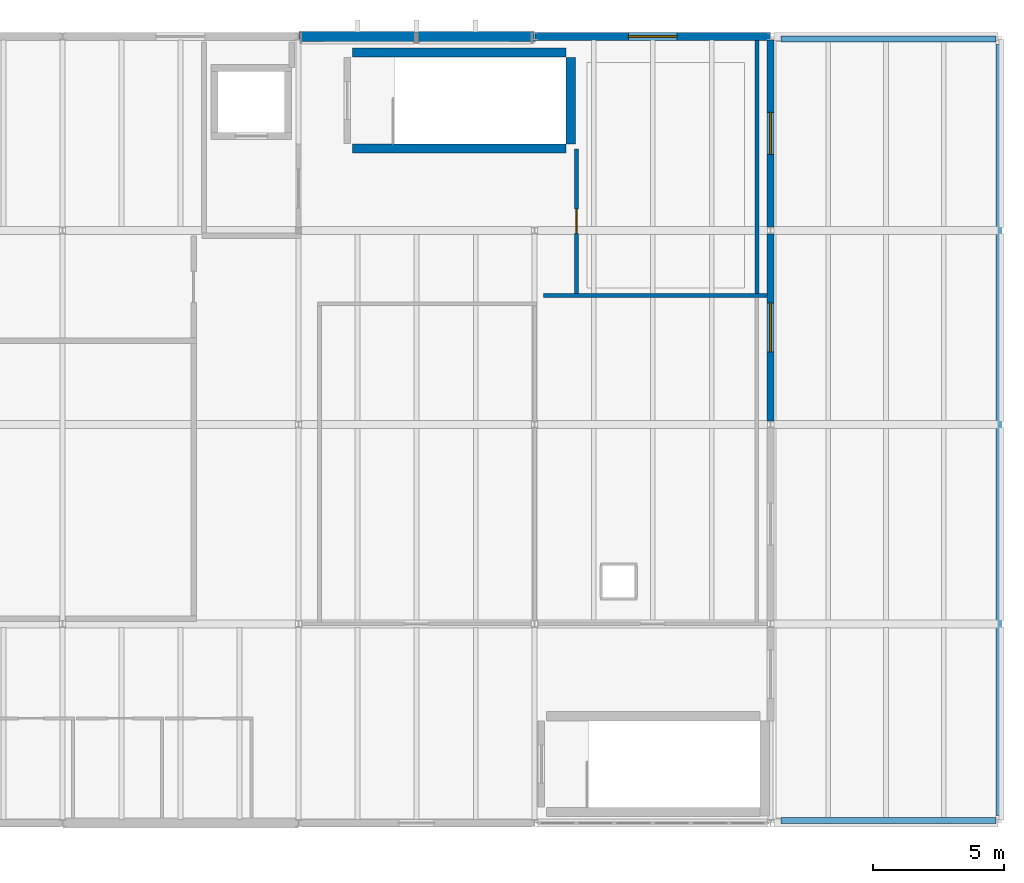
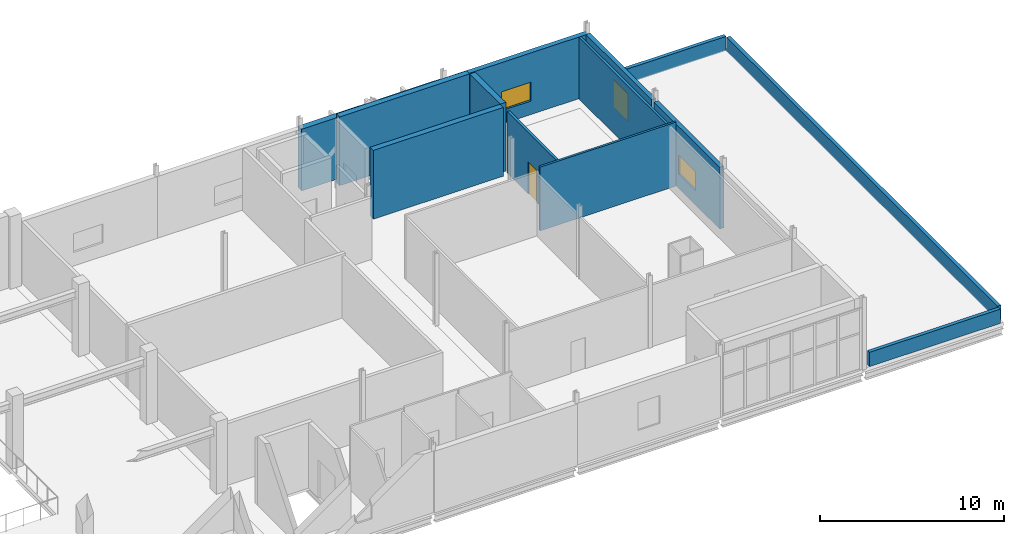
# One storey, part 13 of 14: 13 walls, 3 windows, 1 door, 4 openings.
"""IFC4 building model written with IfcOpenShell, lengths in metres."""

from ifc_helpers import new_model, si_unit, direction, frame, frame_2d, origin, place, context, subcontext, project, spatial, rectangle, extrude, material, layer, layer_set, type_object, element, fill, save


model = new_model("IFC4")

# Units and contexts
model_context = context("Model", 3, precision=1e-05, world=origin(), true_north=direction((0.0, 1.0)))
body_context = subcontext(model_context, "Body", "Model", "MODEL_VIEW")
ifc_project = project(units=[si_unit("LENGTHUNIT", "METRE"), si_unit("AREAUNIT", "SQUARE_METRE"), si_unit("VOLUMEUNIT", "CUBIC_METRE"), si_unit("PLANEANGLEUNIT", "RADIAN"), si_unit("MASSUNIT", "GRAM", prefix="KILO")], contexts=[model_context])

# Site, building, storey
site_placement = place(None, origin())
site = spatial("IfcSite", under=ifc_project, at=site_placement, CompositionType="ELEMENT")
building_placement = place(site_placement, origin())
building = spatial("IfcBuilding", under=site, at=building_placement, Name="Shengluoqiao Park Theatre", CompositionType="ELEMENT")
storey_placement = place(building_placement, frame((0.0, 0.0, 23.800048828125)))
storey = spatial("IfcBuildingStorey", under=building, at=storey_placement, Name="L05", CompositionType="ELEMENT", Elevation=23.800048828125)

# Wall, opening, window
ifc_material_1 = material(Name="Concrete C40", Category="concrete")
ifc_layer_1 = layer(ifc_material_1, 0.27001953125, Name="Concrete C40")
ifc_layer_set_1 = layer_set([ifc_layer_1], Name="Concrete C40")
wall_type_1 = type_object("IfcWallType", Name="ENV-WL-CONC270", PredefinedType="STANDARD", material=ifc_layer_set_1)
wall_1_placement = place(storey_placement, frame((148.39990234375, 99.3291015625, 0.0), z_axis=(0.0, 0.0, 1.0), x_axis=(0.0, 1.0, 0.0)))
wall_1 = element("IfcWall", 1, at=wall_1_placement, inside=storey, type_object=wall_type_1, Name="L05 Exterior Wall 0273", PredefinedType="STANDARD", context=body_context, shape_type="SweptSolid", body=[
    extrude(rectangle(XDim=7.141845703125, YDim=0.27001953125, at=frame_2d((3.57080078125, 0.0))), origin(), (0.0, 0.0, 1.0), 4.087890625),
])
opening_1_placement = place(wall_1_placement, frame((2.64599609375, 0.0, 0.949951171875)))
opening_1 = element("IfcOpeningElement", 2, at=opening_1_placement, cuts=wall_1, Name="Opening W-11", PredefinedType="OPENING", context=body_context, shape_type="SweptSolid", body=[
    extrude(rectangle(XDim=1.85009765625, YDim=1.25, at=frame_2d((0.925048828125, 0.625))), frame((0.0, 0.14501953125, 0.0), z_axis=(0.0, -1.0, 0.0), x_axis=(1.0, 0.0, 0.0)), (0.0, 0.0, 1.0), 0.2900390625),
])
ifc_material_2 = material(Name="Insulated glass", Category="glass")
window_type_1 = type_object("IfcWindowType", Name="ENV-WIN-W11", PartitioningType="DOUBLE_PANEL_HORIZONTAL", PredefinedType="WINDOW", material=ifc_material_2)
window_1_placement = place(opening_1_placement, origin())
window_1 = element("IfcWindow", 3, at=window_1_placement, inside=storey, type_object=window_type_1, Name="L05 Acoustic Window 0111", OverallHeight=1.25, OverallWidth=1.85009765625, PartitioningType="DOUBLE_PANEL_HORIZONTAL", PredefinedType="WINDOW", context=body_context, shape_type="SweptSolid", body=[
    extrude(rectangle(XDim=1.85009765625, YDim=1.25, at=frame_2d((0.925048828125, 0.625))), frame((0.0, 0.030029296875, 0.0), z_axis=(0.0, -1.0, 0.0), x_axis=(1.0, 0.0, 0.0)), (0.0, 0.0, 1.0), 0.06005859375),
])
fill(opening_1, window_1)

wall_2_placement = place(storey_placement, frame((148.39990234375, 106.72900390625, 0.0), z_axis=(0.0, 0.0, 1.0), x_axis=(0.0, 1.0, 0.0)))
wall_2 = element("IfcWall", 4, at=wall_2_placement, inside=storey, type_object=wall_type_1, Name="L05 Exterior Wall 0274", PredefinedType="STANDARD", context=body_context, shape_type="SweptSolid", body=[
    extrude(rectangle(XDim=7.14208984375, YDim=0.27001953125, at=frame_2d((3.571044921875, 0.0))), origin(), (0.0, 0.0, 1.0), 4.087890625),
])
opening_2_placement = place(wall_2_placement, frame((2.77099609375, 0.0, 0.949951171875)))
opening_2 = element("IfcOpeningElement", 5, at=opening_2_placement, cuts=wall_2, Name="Opening W-06", PredefinedType="OPENING", context=body_context, shape_type="SweptSolid", body=[
    extrude(rectangle(XDim=1.60009765625, YDim=1.800048828125, at=frame_2d((0.800048828125, 0.89990234375))), frame((0.0, 0.14501953125, 0.0), z_axis=(0.0, -1.0, 0.0), x_axis=(1.0, 0.0, 0.0)), (0.0, 0.0, 1.0), 0.2900390625),
])
window_type_2 = type_object("IfcWindowType", Name="ENV-WIN-W06", PartitioningType="DOUBLE_PANEL_VERTICAL", PredefinedType="WINDOW", material=ifc_material_2)
window_2_placement = place(opening_2_placement, origin())
window_2 = element("IfcWindow", 6, at=window_2_placement, inside=storey, type_object=window_type_2, Name="L05 Acoustic Window 0112", OverallHeight=1.800048828125, OverallWidth=1.60009765625, PartitioningType="DOUBLE_PANEL_VERTICAL", PredefinedType="WINDOW", context=body_context, shape_type="SweptSolid", body=[
    extrude(rectangle(XDim=1.60009765625, YDim=1.800048828125, at=frame_2d((0.800048828125, 0.89990234375))), frame((0.0, 0.030029296875, 0.0), z_axis=(0.0, -1.0, 0.0), x_axis=(1.0, 0.0, 0.0)), (0.0, 0.0, 1.0), 0.06005859375),
])
fill(opening_2, window_2)

ifc_layer_2 = layer(ifc_material_1, 0.31005859375, Name="Concrete C40")
ifc_layer_set_2 = layer_set([ifc_layer_2], Name="Concrete C40")
wall_type_2 = type_object("IfcWallType", Name="ENV-WL-CONC310", PredefinedType="STANDARD", material=ifc_layer_set_2)
wall_3_placement = place(storey_placement, frame((139.409912109375, 114.0, 0.0), z_axis=(0.0, 0.0, 1.0), x_axis=(1.0, 0.0, 0.0)))
wall_3 = element("IfcWall", 7, at=wall_3_placement, inside=storey, type_object=wall_type_2, Name="L05 Exterior Wall 0267", PredefinedType="STANDARD", context=body_context, shape_type="SweptSolid", body=[
    extrude(rectangle(XDim=8.97998046875, YDim=0.31005859375, at=frame_2d((4.489990234375, 0.0))), origin(), (0.0, 0.0, 1.0), 4.087890625),
])
opening_3_placement = place(wall_3_placement, frame((3.56494140625, 0.0, 0.89990234375)))
opening_3 = element("IfcOpeningElement", 8, at=opening_3_placement, cuts=wall_3, Name="Opening W-11", PredefinedType="OPENING", context=body_context, shape_type="SweptSolid", body=[
    extrude(rectangle(XDim=1.85009765625, YDim=1.25, at=frame_2d((0.925048828125, 0.625))), frame((0.0, 0.1650390625, 0.0), z_axis=(0.0, -1.0, 0.0), x_axis=(1.0, 0.0, 0.0)), (0.0, 0.0, 1.0), 0.330078125),
])
window_3_placement = place(opening_3_placement, origin())
window_3 = element("IfcWindow", 9, at=window_3_placement, inside=storey, type_object=window_type_1, Name="L05 Acoustic Window 0106", OverallHeight=1.25, OverallWidth=1.85009765625, PartitioningType="DOUBLE_PANEL_HORIZONTAL", PredefinedType="WINDOW", context=body_context, shape_type="SweptSolid", body=[
    extrude(rectangle(XDim=1.85009765625, YDim=1.25, at=frame_2d((0.925048828125, 0.625))), frame((0.0, 0.030029296875, 0.0), z_axis=(0.0, -1.0, 0.0), x_axis=(1.0, 0.0, 0.0)), (0.0, 0.0, 1.0), 0.06005859375),
])
fill(opening_3, window_3)

# Walls
ifc_material_3 = material(Name="Concrete C45", Category="concrete")
ifc_layer_3 = layer(ifc_material_3, 0.3798828125, Name="Concrete C45")
ifc_layer_set_3 = layer_set([ifc_layer_3], Name="Concrete C45")
wall_type_3 = type_object("IfcWallType", Name="ENV-WL-CONC380", PredefinedType="STANDARD", material=ifc_layer_set_3)
wall_4_placement = place(storey_placement, frame((130.409912109375, 114.0, 0.0), z_axis=(0.0, 0.0, 1.0), x_axis=(1.0, 0.0, 0.0)))
element("IfcWall", 10, at=wall_4_placement, inside=storey, type_object=wall_type_3, Name="L05 Exterior Wall 0266", PredefinedType="STANDARD", context=body_context, shape_type="SweptSolid", body=[
    extrude(rectangle(XDim=8.97998046875, YDim=0.3798828125, at=frame_2d((4.489990234375, 0.0))), origin(), (0.0, 0.0, 1.0), 4.087890625),
])
ifc_layer_4 = layer(ifc_material_1, 0.219970703125, Name="Concrete C40")
ifc_layer_set_4 = layer_set([ifc_layer_4], Name="Concrete C40")
wall_type_4 = type_object("IfcWallType", Name="ENV-WL-PARA220", PredefinedType="PARAPET", material=ifc_layer_set_4)
wall_5_placement = place(storey_placement, frame((148.800048828125, 84.10009765625, 0.0), z_axis=(0.0, 0.0, 1.0), x_axis=(1.0, 0.0, 0.0)))
element("IfcWall", 11, at=wall_5_placement, inside=storey, type_object=wall_type_4, Name="L05 Roof Parapet Upstand 04", PredefinedType="PARAPET", context=body_context, shape_type="SweptSolid", body=[
    extrude(rectangle(XDim=8.199951171875, YDim=0.219970703125, at=frame_2d((4.10009765625, 0.0))), origin(), (0.0, 0.0, 1.0), 0.949951171875),
])
wall_6_placement = place(storey_placement, frame((157.10009765625, 84.300048828125, 0.0), z_axis=(0.0, 0.0, 1.0), x_axis=(0.0, 1.0, 0.0)))
element("IfcWall", 12, at=wall_6_placement, inside=storey, type_object=wall_type_4, Name="L05 Roof Parapet Upstand 05", PredefinedType="PARAPET", context=body_context, shape_type="SweptSolid", body=[
    extrude(rectangle(XDim=29.39990234375, YDim=0.219970703125, at=frame_2d((14.699951171875, 0.0))), origin(), (0.0, 0.0, 1.0), 0.949951171875),
])
wall_7_placement = place(storey_placement, frame((157.0, 113.89990234375, 0.0), z_axis=(0.0, 0.0, 1.0), x_axis=(-1.0, 0.0, 0.0)))
element("IfcWall", 13, at=wall_7_placement, inside=storey, type_object=wall_type_4, Name="L05 Roof Parapet Upstand 06", PredefinedType="PARAPET", context=body_context, shape_type="SweptSolid", body=[
    extrude(rectangle(XDim=8.199951171875, YDim=0.219970703125, at=frame_2d((4.10009765625, 0.0))), origin(), (0.0, 0.0, 1.0), 0.949951171875),
])

# Wall, opening, door
ifc_material_4 = material(Name="Gypsum acoustic stud", Category="gypsum")
ifc_layer_5 = layer(ifc_material_4, 0.155029296875, Name="Gypsum acoustic stud")
ifc_layer_set_5 = layer_set([ifc_layer_5], Name="Gypsum acoustic stud")
wall_type_5 = type_object("IfcWallType", Name="INT-WL-DRS155", PredefinedType="PARTITIONING", material=ifc_layer_set_5)
wall_8_placement = place(storey_placement, frame((141.0, 104.195556640625, 0.0), z_axis=(0.0, 0.0, 1.0), x_axis=(0.0, 1.0, 0.0)))
wall_8 = element("IfcWall", 14, at=wall_8_placement, inside=storey, type_object=wall_type_5, Name="Theatre Endowment Boardroom Partition W", PredefinedType="PARTITIONING", context=body_context, shape_type="SweptSolid", body=[
    extrude(rectangle(XDim=5.509521484375, YDim=0.155029296875, at=frame_2d((2.7548828125, 0.0))), origin(), (0.0, 0.0, 1.0), 4.087890625),
])
opening_4_placement = place(wall_8_placement, frame((2.294921875, 0.0, 0.0)))
opening_4 = element("IfcOpeningElement", 15, at=opening_4_placement, cuts=wall_8, Name="Opening D-L05-109", PredefinedType="OPENING", context=body_context, shape_type="SweptSolid", body=[
    extrude(rectangle(XDim=0.919921875, YDim=2.1201171875, at=frame_2d((0.4599609375, 1.06005859375))), frame((0.0, 0.08740234375, 0.0), z_axis=(0.0, -1.0, 0.0), x_axis=(1.0, 0.0, 0.0)), (0.0, 0.0, 1.0), 0.175048828125),
])
ifc_material_5 = material(Name="Timber veneer", Category="wood")
door_type = type_object("IfcDoorType", Name="INT-DR-SNG092", OperationType="NOTDEFINED", PredefinedType="DOOR", material=ifc_material_5)
door_placement = place(opening_4_placement, origin())
door = element("IfcDoor", 16, at=door_placement, inside=storey, type_object=door_type, Name="Theatre Endowment Boardroom Door D-L05-109", OperationType="SINGLE_SWING_RIGHT", OverallHeight=2.1201171875, OverallWidth=0.919921875, PredefinedType="DOOR", context=body_context, shape_type="SweptSolid", body=[
    extrude(rectangle(XDim=0.919921875, YDim=2.1201171875, at=frame_2d((0.4599609375, 1.06005859375))), frame((0.0, 0.02490234375, 0.0), z_axis=(0.0, -1.0, 0.0), x_axis=(1.0, 0.0, 0.0)), (0.0, 0.0, 1.0), 0.050048828125),
])
fill(opening_4, door)

# Walls
wall_9_placement = place(storey_placement, frame((147.8798828125, 104.195556640625, 0.0), z_axis=(0.0, 0.0, 1.0), x_axis=(0.0, 1.0, 0.0)))
element("IfcWall", 17, at=wall_9_placement, inside=storey, type_object=wall_type_5, Name="Theatre Endowment Boardroom Partition E", PredefinedType="PARTITIONING", context=body_context, shape_type="SweptSolid", body=[
    extrude(rectangle(XDim=9.641357421875, YDim=0.155029296875, at=frame_2d((4.82080078125, 0.0))), origin(), (0.0, 0.0, 1.0), 4.087890625),
])
ifc_material_6 = material(Name="Gypsum board", Category="gypsum")
ifc_layer_6 = layer(ifc_material_6, 0.135009765625, Name="Gypsum board")
ifc_layer_set_6 = layer_set([ifc_layer_6], Name="Gypsum board")
wall_type_6 = type_object("IfcWallType", Name="INT-WL-STD135", PredefinedType="PARTITIONING", material=ifc_layer_set_6)
wall_10_placement = place(storey_placement, frame((139.732421875, 104.1201171875, 0.0), z_axis=(0.0, 0.0, 1.0), x_axis=(1.0, 0.0, 0.0)))
element("IfcWall", 18, at=wall_10_placement, inside=storey, type_object=wall_type_6, Name="Production Planning and Stage Management Office Partition N", PredefinedType="PARTITIONING", context=body_context, shape_type="SweptSolid", body=[
    extrude(rectangle(XDim=8.524658203125, YDim=0.135009765625, at=frame_2d((4.26220703125, 0.0))), origin(), (0.0, 0.0, 1.0), 4.23388671875),
])
ifc_material_7 = material(Name="Concrete C50", Category="concrete")
ifc_layer_7 = layer(ifc_material_7, 0.35009765625, Name="Concrete C50")
ifc_layer_set_7 = layer_set([ifc_layer_7], Name="Concrete C50")
wall_type_7 = type_object("IfcWallType", Name="STR-SW-CORE350", PredefinedType="SHEAR", material=ifc_layer_set_7)
wall_11_placement = place(storey_placement, frame((132.449951171875, 109.719970703125, 0.0), z_axis=(0.0, 0.0, 1.0), x_axis=(1.0, 0.0, 0.0)))
element("IfcWall", 19, at=wall_11_placement, inside=storey, type_object=wall_type_7, Name="L05 ST-06 Core Left Shear Wall 0124", PredefinedType="SHEAR", context=body_context, shape_type="SweptSolid", body=[
    extrude(rectangle(XDim=8.150146484375, YDim=0.35009765625, at=frame_2d((4.0751953125, 0.0))), origin(), (0.0, 0.0, 1.0), 4.56005859375),
])
wall_12_placement = place(storey_placement, frame((140.780029296875, 109.89990234375, 0.0), z_axis=(0.0, 0.0, 1.0), x_axis=(0.0, 1.0, 0.0)))
element("IfcWall", 20, at=wall_12_placement, inside=storey, type_object=wall_type_7, Name="L05 ST-06 Core Far Shear Wall 0125", PredefinedType="SHEAR", context=body_context, shape_type="SweptSolid", body=[
    extrude(rectangle(XDim=3.300048828125, YDim=0.35009765625, at=frame_2d((1.64990234375, 0.0))), origin(), (0.0, 0.0, 1.0), 4.56005859375),
])
wall_13_placement = place(storey_placement, frame((140.60009765625, 113.3798828125, 0.0), z_axis=(0.0, 0.0, 1.0), x_axis=(-1.0, 0.0, 0.0)))
element("IfcWall", 21, at=wall_13_placement, inside=storey, type_object=wall_type_7, Name="L05 ST-06 Core Right Shear Wall 0126", PredefinedType="SHEAR", context=body_context, shape_type="SweptSolid", body=[
    extrude(rectangle(XDim=8.150146484375, YDim=0.35009765625, at=frame_2d((4.0751953125, 0.0))), origin(), (0.0, 0.0, 1.0), 4.56005859375),
])

save(model, "model.ifc")
